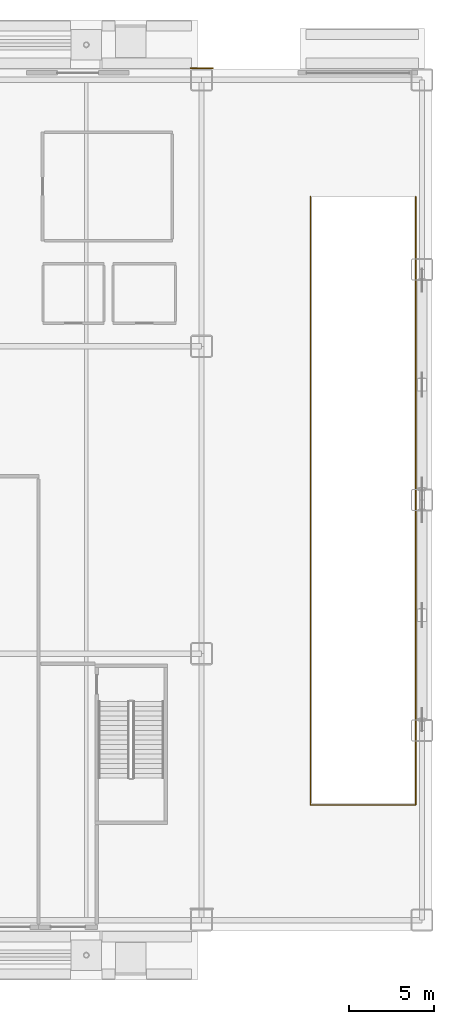
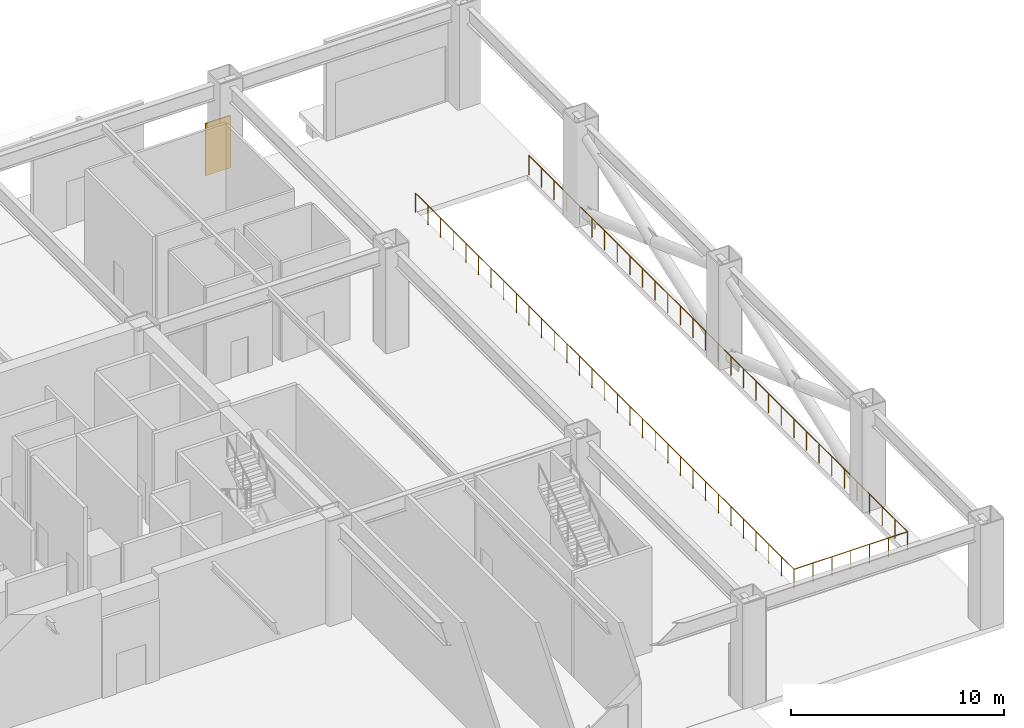
# One storey, part 16 of 17: 1 covering, 1 railing.
"""IFC4 building model written with IfcOpenShell, lengths in metres."""

from ifc_helpers import new_model, si_unit, direction, frame, origin, origin_2d, place, context, subcontext, project, spatial, rectangle, circle, extrude, source, transform, mapped, material, layer, layer_set, type_object, element, save


model = new_model("IFC4")

# Units and contexts
model_context = context("Model", 3, precision=1e-05, world=origin(), true_north=direction((0.0, 1.0)))
body_context = subcontext(model_context, "Body", "Model", "MODEL_VIEW")
ifc_project = project(units=[si_unit("LENGTHUNIT", "METRE"), si_unit("AREAUNIT", "SQUARE_METRE"), si_unit("VOLUMEUNIT", "CUBIC_METRE"), si_unit("PLANEANGLEUNIT", "RADIAN"), si_unit("MASSUNIT", "GRAM", prefix="KILO")], contexts=[model_context])

# Site, building, storey
site_placement = place(None, origin())
site = spatial("IfcSite", under=ifc_project, at=site_placement, CompositionType="ELEMENT")
building_placement = place(site_placement, origin())
building = spatial("IfcBuilding", under=site, at=building_placement, Name="Nefas-Gora Pilgrimage Tower", CompositionType="ELEMENT")
storey_placement = place(building_placement, origin())
storey = spatial("IfcBuildingStorey", under=building, at=storey_placement, Name="L00", CompositionType="ELEMENT", Elevation=0.0)

# Railing
ifc_material_1 = material(Name="Painted galvanised steel", Category="steel")
railing_type = type_object("IfcRailingType", Name="RLG-RMP-1100", PredefinedType="GUARDRAIL", material=ifc_material_1)
railing_placement = place(storey_placement, frame((31.1201171875, 17.75, 0.0)))
element("IfcRailing", 1, at=railing_placement, inside=storey, type_object=railing_type, Name="L00 Vehicle Ramp Well Guardrail", PredefinedType="GUARDRAIL", context=body_context, shape_type="SweptSolid", body=[
    extrude(circle(Radius=0.02392578125, at=origin_2d()), frame((0.0, 0.0, 1.09619140625), z_axis=(0.0, -1.0, 0.0), x_axis=(1.0, 0.0, 0.0)), (0.0, 0.0, 1.0), 35.60009765625),
    extrude(circle(Radius=0.02392578125, at=origin_2d()), frame((0.0, -35.60009765625, 1.09619140625), z_axis=(1.0, 0.0, 0.0), x_axis=(0.0, 1.0, 0.0)), (0.0, 0.0, 1.0), 6.159912109375),
    extrude(circle(Radius=0.02392578125, at=origin_2d()), frame((6.159912109375, -35.60009765625, 1.09619140625), z_axis=(0.0, 1.0, 0.0), x_axis=(-1.0, 0.0, 0.0)), (0.0, 0.0, 1.0), 35.60009765625),
    extrude(circle(Radius=0.02099609375, at=origin_2d()), origin(), (0.0, 0.0, 1.0), 1.072021484375),
    extrude(circle(Radius=0.02099609375, at=origin_2d()), frame((0.0, -1.186767578125, 0.0)), (0.0, 0.0, 1.0), 1.072021484375),
    extrude(circle(Radius=0.02099609375, at=origin_2d()), frame((0.0, -2.373291015625, 0.0)), (0.0, 0.0, 1.0), 1.072021484375),
    extrude(circle(Radius=0.02099609375, at=origin_2d()), frame((0.0, -3.56005859375, 0.0)), (0.0, 0.0, 1.0), 1.072021484375),
    extrude(circle(Radius=0.02099609375, at=origin_2d()), frame((0.0, -4.74658203125, 0.0)), (0.0, 0.0, 1.0), 1.072021484375),
    extrude(circle(Radius=0.02099609375, at=origin_2d()), frame((0.0, -5.933349609375, 0.0)), (0.0, 0.0, 1.0), 1.072021484375),
    extrude(circle(Radius=0.02099609375, at=origin_2d()), frame((0.0, -7.1201171875, 0.0)), (0.0, 0.0, 1.0), 1.072021484375),
    extrude(circle(Radius=0.02099609375, at=origin_2d()), frame((0.0, -8.306640625, 0.0)), (0.0, 0.0, 1.0), 1.072021484375),
    extrude(circle(Radius=0.02099609375, at=origin_2d()), frame((0.0, -9.493408203125, 0.0)), (0.0, 0.0, 1.0), 1.072021484375),
    extrude(circle(Radius=0.02099609375, at=origin_2d()), frame((0.0, -10.679931640625, 0.0)), (0.0, 0.0, 1.0), 1.072021484375),
    extrude(circle(Radius=0.02099609375, at=origin_2d()), frame((0.0, -11.86669921875, 0.0)), (0.0, 0.0, 1.0), 1.072021484375),
    extrude(circle(Radius=0.02099609375, at=origin_2d()), frame((0.0, -13.053466796875, 0.0)), (0.0, 0.0, 1.0), 1.072021484375),
    extrude(circle(Radius=0.02099609375, at=origin_2d()), frame((0.0, -14.239990234375, 0.0)), (0.0, 0.0, 1.0), 1.072021484375),
    extrude(circle(Radius=0.02099609375, at=origin_2d()), frame((0.0, -15.4267578125, 0.0)), (0.0, 0.0, 1.0), 1.072021484375),
    extrude(circle(Radius=0.02099609375, at=origin_2d()), frame((0.0, -16.61328125, 0.0)), (0.0, 0.0, 1.0), 1.072021484375),
    extrude(circle(Radius=0.02099609375, at=origin_2d()), frame((0.0, -17.800048828125, 0.0)), (0.0, 0.0, 1.0), 1.072021484375),
    extrude(circle(Radius=0.02099609375, at=origin_2d()), frame((0.0, -18.98681640625, 0.0)), (0.0, 0.0, 1.0), 1.072021484375),
    extrude(circle(Radius=0.02099609375, at=origin_2d()), frame((0.0, -20.17333984375, 0.0)), (0.0, 0.0, 1.0), 1.072021484375),
    extrude(circle(Radius=0.02099609375, at=origin_2d()), frame((0.0, -21.360107421875, 0.0)), (0.0, 0.0, 1.0), 1.072021484375),
    extrude(circle(Radius=0.02099609375, at=origin_2d()), frame((0.0, -22.546630859375, 0.0)), (0.0, 0.0, 1.0), 1.072021484375),
    extrude(circle(Radius=0.02099609375, at=origin_2d()), frame((0.0, -23.7333984375, 0.0)), (0.0, 0.0, 1.0), 1.072021484375),
    extrude(circle(Radius=0.02099609375, at=origin_2d()), frame((0.0, -24.920166015625, 0.0)), (0.0, 0.0, 1.0), 1.072021484375),
    extrude(circle(Radius=0.02099609375, at=origin_2d()), frame((0.0, -26.106689453125, 0.0)), (0.0, 0.0, 1.0), 1.072021484375),
    extrude(circle(Radius=0.02099609375, at=origin_2d()), frame((0.0, -27.29345703125, 0.0)), (0.0, 0.0, 1.0), 1.072021484375),
    extrude(circle(Radius=0.02099609375, at=origin_2d()), frame((0.0, -28.47998046875, 0.0)), (0.0, 0.0, 1.0), 1.072021484375),
    extrude(circle(Radius=0.02099609375, at=origin_2d()), frame((0.0, -29.666748046875, 0.0)), (0.0, 0.0, 1.0), 1.072021484375),
    extrude(circle(Radius=0.02099609375, at=origin_2d()), frame((0.0, -30.853515625, 0.0)), (0.0, 0.0, 1.0), 1.072021484375),
    extrude(circle(Radius=0.02099609375, at=origin_2d()), frame((0.0, -32.0400390625, 0.0)), (0.0, 0.0, 1.0), 1.072021484375),
    extrude(circle(Radius=0.02099609375, at=origin_2d()), frame((0.0, -33.226806640625, 0.0)), (0.0, 0.0, 1.0), 1.072021484375),
    extrude(circle(Radius=0.02099609375, at=origin_2d()), frame((0.0, -34.413330078125, 0.0)), (0.0, 0.0, 1.0), 1.072021484375),
    extrude(circle(Radius=0.02099609375, at=origin_2d()), frame((0.0, -35.60009765625, 0.0)), (0.0, 0.0, 1.0), 1.072021484375),
    extrude(circle(Radius=0.02099609375, at=origin_2d()), frame((1.026611328125, -35.60009765625, 0.0)), (0.0, 0.0, 1.0), 1.072021484375),
    extrude(circle(Radius=0.02099609375, at=origin_2d()), frame((2.05322265625, -35.60009765625, 0.0)), (0.0, 0.0, 1.0), 1.072021484375),
    extrude(circle(Radius=0.02099609375, at=origin_2d()), frame((3.080078125, -35.60009765625, 0.0)), (0.0, 0.0, 1.0), 1.072021484375),
    extrude(circle(Radius=0.02099609375, at=origin_2d()), frame((4.106689453125, -35.60009765625, 0.0)), (0.0, 0.0, 1.0), 1.072021484375),
    extrude(circle(Radius=0.02099609375, at=origin_2d()), frame((5.13330078125, -35.60009765625, 0.0)), (0.0, 0.0, 1.0), 1.072021484375),
    extrude(circle(Radius=0.02099609375, at=origin_2d()), frame((6.159912109375, -35.60009765625, 0.0)), (0.0, 0.0, 1.0), 1.072021484375),
    extrude(circle(Radius=0.02099609375, at=origin_2d()), frame((6.159912109375, -34.413330078125, 0.0)), (0.0, 0.0, 1.0), 1.072021484375),
    extrude(circle(Radius=0.02099609375, at=origin_2d()), frame((6.159912109375, -33.226806640625, 0.0)), (0.0, 0.0, 1.0), 1.072021484375),
    extrude(circle(Radius=0.02099609375, at=origin_2d()), frame((6.159912109375, -32.0400390625, 0.0)), (0.0, 0.0, 1.0), 1.072021484375),
    extrude(circle(Radius=0.02099609375, at=origin_2d()), frame((6.159912109375, -30.853515625, 0.0)), (0.0, 0.0, 1.0), 1.072021484375),
    extrude(circle(Radius=0.02099609375, at=origin_2d()), frame((6.159912109375, -29.666748046875, 0.0)), (0.0, 0.0, 1.0), 1.072021484375),
    extrude(circle(Radius=0.02099609375, at=origin_2d()), frame((6.159912109375, -28.47998046875, 0.0)), (0.0, 0.0, 1.0), 1.072021484375),
    extrude(circle(Radius=0.02099609375, at=origin_2d()), frame((6.159912109375, -27.29345703125, 0.0)), (0.0, 0.0, 1.0), 1.072021484375),
    extrude(circle(Radius=0.02099609375, at=origin_2d()), frame((6.159912109375, -26.106689453125, 0.0)), (0.0, 0.0, 1.0), 1.072021484375),
    extrude(circle(Radius=0.02099609375, at=origin_2d()), frame((6.159912109375, -24.920166015625, 0.0)), (0.0, 0.0, 1.0), 1.072021484375),
    extrude(circle(Radius=0.02099609375, at=origin_2d()), frame((6.159912109375, -23.7333984375, 0.0)), (0.0, 0.0, 1.0), 1.072021484375),
    extrude(circle(Radius=0.02099609375, at=origin_2d()), frame((6.159912109375, -22.546630859375, 0.0)), (0.0, 0.0, 1.0), 1.072021484375),
    extrude(circle(Radius=0.02099609375, at=origin_2d()), frame((6.159912109375, -21.360107421875, 0.0)), (0.0, 0.0, 1.0), 1.072021484375),
    extrude(circle(Radius=0.02099609375, at=origin_2d()), frame((6.159912109375, -20.17333984375, 0.0)), (0.0, 0.0, 1.0), 1.072021484375),
    extrude(circle(Radius=0.02099609375, at=origin_2d()), frame((6.159912109375, -18.98681640625, 0.0)), (0.0, 0.0, 1.0), 1.072021484375),
    extrude(circle(Radius=0.02099609375, at=origin_2d()), frame((6.159912109375, -17.800048828125, 0.0)), (0.0, 0.0, 1.0), 1.072021484375),
    extrude(circle(Radius=0.02099609375, at=origin_2d()), frame((6.159912109375, -16.61328125, 0.0)), (0.0, 0.0, 1.0), 1.072021484375),
    extrude(circle(Radius=0.02099609375, at=origin_2d()), frame((6.159912109375, -15.4267578125, 0.0)), (0.0, 0.0, 1.0), 1.072021484375),
    extrude(circle(Radius=0.02099609375, at=origin_2d()), frame((6.159912109375, -14.239990234375, 0.0)), (0.0, 0.0, 1.0), 1.072021484375),
    extrude(circle(Radius=0.02099609375, at=origin_2d()), frame((6.159912109375, -13.053466796875, 0.0)), (0.0, 0.0, 1.0), 1.072021484375),
    extrude(circle(Radius=0.02099609375, at=origin_2d()), frame((6.159912109375, -11.86669921875, 0.0)), (0.0, 0.0, 1.0), 1.072021484375),
    extrude(circle(Radius=0.02099609375, at=origin_2d()), frame((6.159912109375, -10.679931640625, 0.0)), (0.0, 0.0, 1.0), 1.072021484375),
    extrude(circle(Radius=0.02099609375, at=origin_2d()), frame((6.159912109375, -9.493408203125, 0.0)), (0.0, 0.0, 1.0), 1.072021484375),
    extrude(circle(Radius=0.02099609375, at=origin_2d()), frame((6.159912109375, -8.306640625, 0.0)), (0.0, 0.0, 1.0), 1.072021484375),
    extrude(circle(Radius=0.02099609375, at=origin_2d()), frame((6.159912109375, -7.1201171875, 0.0)), (0.0, 0.0, 1.0), 1.072021484375),
    extrude(circle(Radius=0.02099609375, at=origin_2d()), frame((6.159912109375, -5.933349609375, 0.0)), (0.0, 0.0, 1.0), 1.072021484375),
    extrude(circle(Radius=0.02099609375, at=origin_2d()), frame((6.159912109375, -4.74658203125, 0.0)), (0.0, 0.0, 1.0), 1.072021484375),
    extrude(circle(Radius=0.02099609375, at=origin_2d()), frame((6.159912109375, -3.56005859375, 0.0)), (0.0, 0.0, 1.0), 1.072021484375),
    extrude(circle(Radius=0.02099609375, at=origin_2d()), frame((6.159912109375, -2.373291015625, 0.0)), (0.0, 0.0, 1.0), 1.072021484375),
    extrude(circle(Radius=0.02099609375, at=origin_2d()), frame((6.159912109375, -1.186767578125, 0.0)), (0.0, 0.0, 1.0), 1.072021484375),
    extrude(circle(Radius=0.02099609375, at=origin_2d()), frame((6.159912109375, 0.0, 0.0)), (0.0, 0.0, 1.0), 1.072021484375),
])

# Covering
ifc_material_2 = material(Name="Honed Ethiopian basalt stone cladding", Category="masonry")
ifc_layer = layer(ifc_material_2, 0.06005859375)
ifc_layer_set = layer_set([ifc_layer], Name="Honed Ethiopian basalt stone cladding")
covering_type = type_object("IfcCoveringType", Name="COV-CLAD-GRAN", PredefinedType="CLADDING", material=ifc_layer_set)
shared_shape = source(origin(), body_context, "Body", "SweptSolid", [
    extrude(rectangle(XDim=1.360107421875, YDim=0.06005859375, at=origin_2d()), origin(), (0.0, 0.0, 1.0), 3.0),
])
covering_placement = place(storey_placement, frame((24.75, 25.280029296875, 0.0), z_axis=(0.0, 0.0, 1.0), x_axis=(1.0, 0.0, 0.0)))
element("IfcCovering", 2, at=covering_placement, inside=storey, type_object=covering_type, Name="L00 Basalt Plinth Cladding Collar 2", PredefinedType="CLADDING", context=body_context, shape_type="MappedRepresentation", body=[
    mapped(shared_shape, transform((0.0, 0.0, 0.0), x_axis=(1.0, 0.0, 0.0), y_axis=(0.0, 1.0, 0.0), z_axis=(0.0, 0.0, 1.0), scale=1.0)),
])

save(model, "model.ifc")
